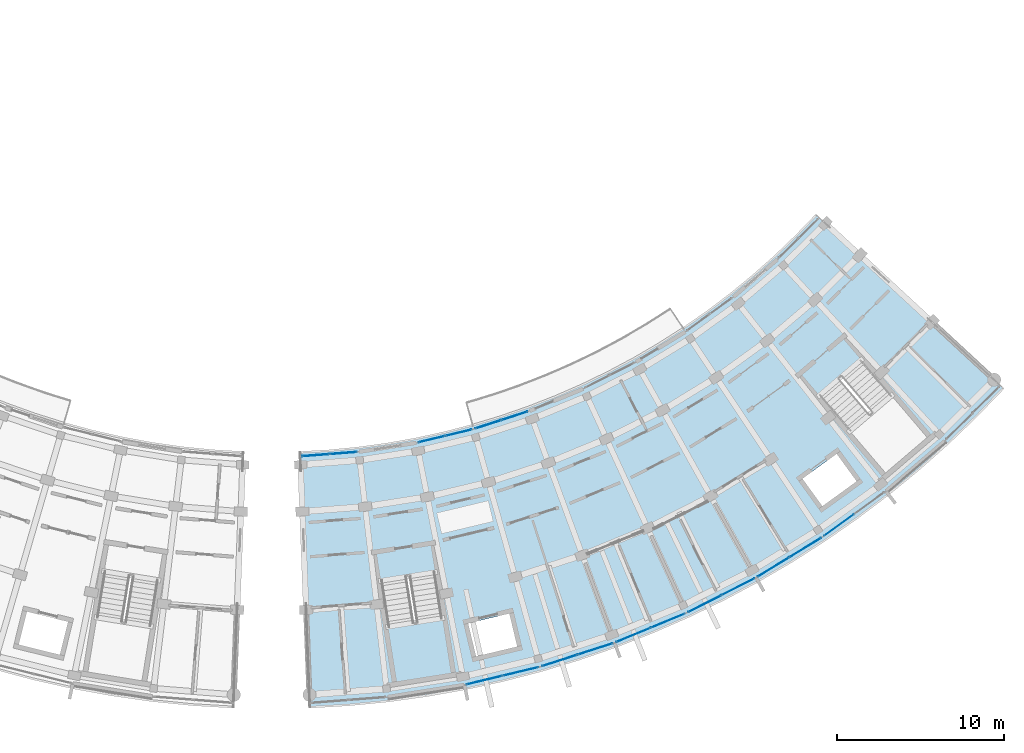
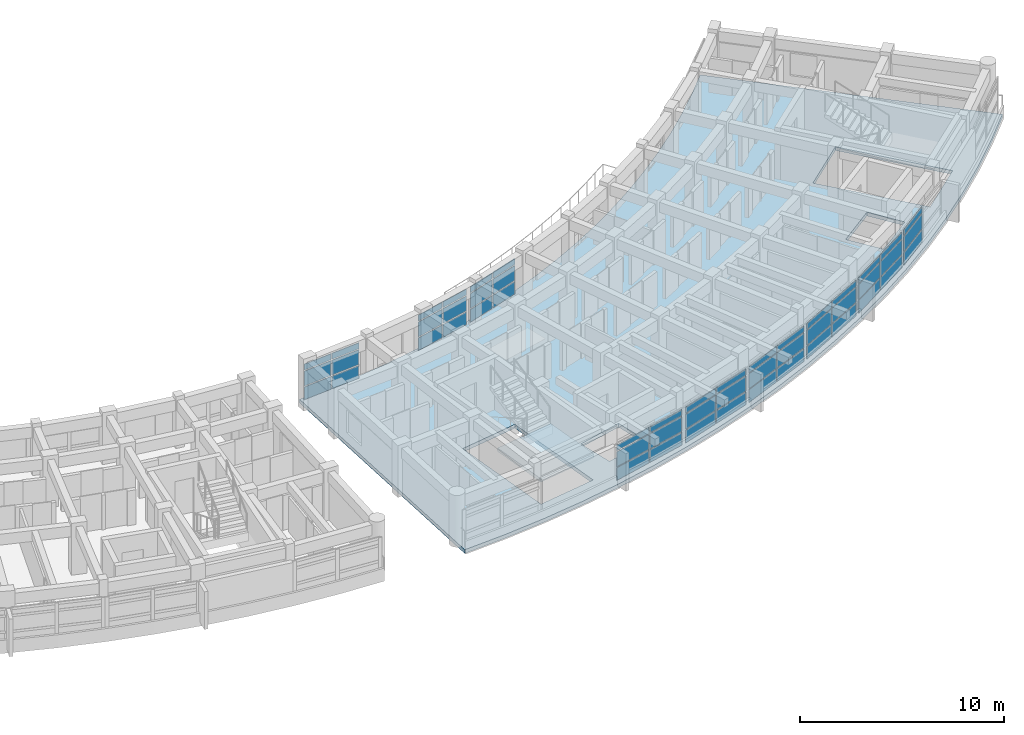
# One storey, part 25 of 56: 51 plates, 2 slabs, 10 elements without a shape of their own.
"""IFC4 building model written with IfcOpenShell, lengths in metres."""

from ifc_helpers import new_model, si_unit, direction, frame, origin, origin_2d, place, context, subcontext, project, spatial, polyline, rectangle, outline, extrude, material, layer, layer_set, type_object, element, aggregate, save


model = new_model("IFC4")

# Units and contexts
model_context = context("Model", 3, precision=1e-05, world=origin(), true_north=direction((0.0, 1.0)))
body_context = subcontext(model_context, "Body", "Model", "MODEL_VIEW")
ifc_project = project(units=[si_unit("LENGTHUNIT", "METRE"), si_unit("AREAUNIT", "SQUARE_METRE"), si_unit("VOLUMEUNIT", "CUBIC_METRE"), si_unit("PLANEANGLEUNIT", "RADIAN"), si_unit("MASSUNIT", "GRAM", prefix="KILO")], contexts=[model_context])

# Site, building, storey
site_placement = place(None, origin())
site = spatial("IfcSite", under=ifc_project, at=site_placement, CompositionType="ELEMENT")
building_placement = place(site_placement, origin())
building = spatial("IfcBuilding", under=site, at=building_placement, Name="Zimvara Arc Housing Community", CompositionType="ELEMENT")
storey_placement = place(building_placement, frame((0.0, 0.0, 17.39990234375)))
storey = spatial("IfcBuildingStorey", under=building, at=storey_placement, Name="L05", CompositionType="ELEMENT", Elevation=17.39990234375)

# Curtain wall, plates
ifc_material_1 = material(Name="Anodised Aluminium AW-6063", Category="aluminium")
curtain_wall_type_1 = type_object("IfcCurtainWallType", Name="CW-SYS-08", PredefinedType="USERDEFINED", material=ifc_material_1)
curtain_wall_1_placement = place(storey_placement, origin())
curtain_wall_1 = element("IfcCurtainWall", 1, at=curtain_wall_1_placement, inside=storey, type_object=curtain_wall_type_1, Name="cw:blkD:L05:in:b0", ObjectType="CURTAIN WALL", PredefinedType="USERDEFINED")
ifc_material_2 = material(Name="Pale-Gold Anodised Aluminium Spandrel Panel", Category="aluminium")
ifc_layer_1 = layer(ifc_material_2, 0.035888671875)
ifc_layer_set_1 = layer_set([ifc_layer_1], Name="Pale-Gold Anodised Aluminium Spandrel Panel")
plate_type_1 = type_object("IfcPlateType", Name="CWP-GLD-36", PredefinedType="CURTAIN_PANEL", material=ifc_layer_set_1)
plate_1_placement = place(storey_placement, frame((128.6123046875, 65.344482421875, 0.065185546875), z_axis=(0.0, 0.0, 1.0), x_axis=(0.996985344149, 0.077590099579, 0.0)))
plate_1 = element("IfcPlate", 2, at=plate_1_placement, type_object=plate_type_1, Name="CW08 panel 1.1", PredefinedType="CURTAIN_PANEL", context=body_context, shape_type="SweptSolid", body=[
    extrude(rectangle(XDim=1.59423828125, YDim=0.035888671875, at=origin_2d()), origin(), (0.0, 0.0, 1.0), 0.75244140625),
])
plate_2_placement = place(storey_placement, frame((128.6123046875, 65.344482421875, 0.8828125), z_axis=(0.0, 0.0, 1.0), x_axis=(0.996985344149, 0.077590099579, 0.0)))
plate_2 = element("IfcPlate", 3, at=plate_2_placement, type_object=plate_type_1, Name="CW08 panel 1.2", PredefinedType="CURTAIN_PANEL", context=body_context, shape_type="SweptSolid", body=[
    extrude(rectangle(XDim=1.59423828125, YDim=0.035888671875, at=origin_2d()), origin(), (0.0, 0.0, 1.0), 0.885009765625),
])
plate_3_placement = place(storey_placement, frame((128.6123046875, 65.344482421875, 1.83251953125), z_axis=(0.0, 0.0, 1.0), x_axis=(0.996985344149, 0.077590099579, 0.0)))
plate_3 = element("IfcPlate", 4, at=plate_3_placement, type_object=plate_type_1, Name="CW08 panel 1.3", PredefinedType="CURTAIN_PANEL", context=body_context, shape_type="SweptSolid", body=[
    extrude(rectangle(XDim=1.59423828125, YDim=0.035888671875, at=origin_2d()), origin(), (0.0, 0.0, 1.0), 0.3525390625),
])
plate_4_placement = place(storey_placement, frame((130.2666015625, 65.47314453125, 0.065185546875), z_axis=(0.0, 0.0, 1.0), x_axis=(0.996985344149, 0.077590099579, 0.0)))
plate_4 = element("IfcPlate", 5, at=plate_4_placement, type_object=plate_type_1, Name="CW08 panel 2.1", PredefinedType="CURTAIN_PANEL", context=body_context, shape_type="SweptSolid", body=[
    extrude(rectangle(XDim=1.59423828125, YDim=0.035888671875, at=origin_2d()), origin(), (0.0, 0.0, 1.0), 0.75244140625),
])
plate_5_placement = place(storey_placement, frame((130.2666015625, 65.47314453125, 0.8828125), z_axis=(0.0, 0.0, 1.0), x_axis=(0.996985344149, 0.077590099579, 0.0)))
plate_5 = element("IfcPlate", 6, at=plate_5_placement, type_object=plate_type_1, Name="CW08 panel 2.2", PredefinedType="CURTAIN_PANEL", context=body_context, shape_type="SweptSolid", body=[
    extrude(rectangle(XDim=1.59423828125, YDim=0.035888671875, at=origin_2d()), origin(), (0.0, 0.0, 1.0), 0.885009765625),
])
plate_6_placement = place(storey_placement, frame((130.2666015625, 65.47314453125, 1.83251953125), z_axis=(0.0, 0.0, 1.0), x_axis=(0.996985344149, 0.077590099579, 0.0)))
plate_6 = element("IfcPlate", 7, at=plate_6_placement, type_object=plate_type_1, Name="CW08 panel 2.3", PredefinedType="CURTAIN_PANEL", context=body_context, shape_type="SweptSolid", body=[
    extrude(rectangle(XDim=1.59423828125, YDim=0.035888671875, at=origin_2d()), origin(), (0.0, 0.0, 1.0), 0.3525390625),
])
aggregate(curtain_wall_1, [plate_1, plate_2, plate_3, plate_4, plate_5, plate_6])

ifc_material_3 = material(Name="Anodised Aluminium AW-6063", Category="aluminium")
curtain_wall_type_2 = type_object("IfcCurtainWallType", Name="CW-SYS-04", PredefinedType="USERDEFINED", material=ifc_material_3)
curtain_wall_2_placement = place(storey_placement, origin())
curtain_wall_2 = element("IfcCurtainWall", 8, at=curtain_wall_2_placement, inside=storey, type_object=curtain_wall_type_2, Name="cw:blkD:L05:in:b3", ObjectType="CURTAIN WALL", PredefinedType="USERDEFINED")
plate_7_placement = place(storey_placement, frame((138.931396484375, 67.18896484375, 0.065185546875), z_axis=(0.0, 0.0, 1.0), x_axis=(0.951326373008, 0.308185223559, 0.0)))
plate_7 = element("IfcPlate", 9, at=plate_7_placement, type_object=plate_type_1, Name="CW04 panel 1.1", PredefinedType="CURTAIN_PANEL", context=body_context, shape_type="SweptSolid", body=[
    extrude(rectangle(XDim=1.59423828125, YDim=0.035888671875, at=origin_2d()), origin(), (0.0, 0.0, 1.0), 0.75244140625),
])
plate_8_placement = place(storey_placement, frame((138.931396484375, 67.18896484375, 0.8828125), z_axis=(0.0, 0.0, 1.0), x_axis=(0.951326373008, 0.308185223559, 0.0)))
plate_8 = element("IfcPlate", 10, at=plate_8_placement, type_object=plate_type_1, Name="CW04 panel 1.2", PredefinedType="CURTAIN_PANEL", context=body_context, shape_type="SweptSolid", body=[
    extrude(rectangle(XDim=1.59423828125, YDim=0.035888671875, at=origin_2d()), origin(), (0.0, 0.0, 1.0), 0.885009765625),
])
plate_9_placement = place(storey_placement, frame((138.931396484375, 67.18896484375, 1.83251953125), z_axis=(0.0, 0.0, 1.0), x_axis=(0.951326373008, 0.308185223559, 0.0)))
plate_9 = element("IfcPlate", 11, at=plate_9_placement, type_object=plate_type_1, Name="CW04 panel 1.3", PredefinedType="CURTAIN_PANEL", context=body_context, shape_type="SweptSolid", body=[
    extrude(rectangle(XDim=1.59423828125, YDim=0.035888671875, at=origin_2d()), origin(), (0.0, 0.0, 1.0), 0.3525390625),
])
plate_10_placement = place(storey_placement, frame((140.510009765625, 67.7001953125, 0.065185546875), z_axis=(0.0, 0.0, 1.0), x_axis=(0.951326373008, 0.308185223559, 0.0)))
plate_10 = element("IfcPlate", 12, at=plate_10_placement, type_object=plate_type_1, Name="CW04 panel 2.1", PredefinedType="CURTAIN_PANEL", context=body_context, shape_type="SweptSolid", body=[
    extrude(rectangle(XDim=1.59423828125, YDim=0.035888671875, at=origin_2d()), origin(), (0.0, 0.0, 1.0), 0.75244140625),
])
plate_11_placement = place(storey_placement, frame((140.510009765625, 67.7001953125, 0.8828125), z_axis=(0.0, 0.0, 1.0), x_axis=(0.951326373008, 0.308185223559, 0.0)))
plate_11 = element("IfcPlate", 13, at=plate_11_placement, type_object=plate_type_1, Name="CW04 panel 2.2", PredefinedType="CURTAIN_PANEL", context=body_context, shape_type="SweptSolid", body=[
    extrude(rectangle(XDim=1.59423828125, YDim=0.035888671875, at=origin_2d()), origin(), (0.0, 0.0, 1.0), 0.885009765625),
])
plate_12_placement = place(storey_placement, frame((140.510009765625, 67.7001953125, 1.83251953125), z_axis=(0.0, 0.0, 1.0), x_axis=(0.951326373008, 0.308185223559, 0.0)))
plate_12 = element("IfcPlate", 14, at=plate_12_placement, type_object=plate_type_1, Name="CW04 panel 2.3", PredefinedType="CURTAIN_PANEL", context=body_context, shape_type="SweptSolid", body=[
    extrude(rectangle(XDim=1.59423828125, YDim=0.035888671875, at=origin_2d()), origin(), (0.0, 0.0, 1.0), 0.3525390625),
])
aggregate(curtain_wall_2, [plate_7, plate_8, plate_9, plate_10, plate_11, plate_12])

curtain_wall_3_placement = place(storey_placement, origin())
curtain_wall_3 = element("IfcCurtainWall", 15, at=curtain_wall_3_placement, inside=storey, type_object=curtain_wall_type_1, Name="cw:blkD:L05:out:b6", ObjectType="CURTAIN WALL", PredefinedType="USERDEFINED")
plate_13_placement = place(storey_placement, frame((155.98291015625, 58.658203125, 0.065185546875), z_axis=(0.0, 0.0, 1.0), x_axis=(0.853095835272, 0.521754248513, 0.0)))
plate_13 = element("IfcPlate", 16, at=plate_13_placement, type_object=plate_type_1, Name="CW08 panel 1.1", PredefinedType="CURTAIN_PANEL", context=body_context, shape_type="SweptSolid", body=[
    extrude(rectangle(XDim=2.173828125, YDim=0.035888671875, at=origin_2d()), origin(), (0.0, 0.0, 1.0), 0.75244140625),
])
plate_14_placement = place(storey_placement, frame((155.98291015625, 58.658203125, 0.8828125), z_axis=(0.0, 0.0, 1.0), x_axis=(0.853095835272, 0.521754248513, 0.0)))
plate_14 = element("IfcPlate", 17, at=plate_14_placement, type_object=plate_type_1, Name="CW08 panel 1.2", PredefinedType="CURTAIN_PANEL", context=body_context, shape_type="SweptSolid", body=[
    extrude(rectangle(XDim=2.173828125, YDim=0.035888671875, at=origin_2d()), origin(), (0.0, 0.0, 1.0), 0.885009765625),
])
plate_15_placement = place(storey_placement, frame((155.98291015625, 58.658203125, 1.83251953125), z_axis=(0.0, 0.0, 1.0), x_axis=(0.853095835272, 0.521754248513, 0.0)))
plate_15 = element("IfcPlate", 18, at=plate_15_placement, type_object=plate_type_1, Name="CW08 panel 1.3", PredefinedType="CURTAIN_PANEL", context=body_context, shape_type="SweptSolid", body=[
    extrude(rectangle(XDim=2.173828125, YDim=0.035888671875, at=origin_2d()), origin(), (0.0, 0.0, 1.0), 0.3525390625),
])
plate_16_placement = place(storey_placement, frame((157.892822265625, 59.826171875, 0.065185546875), z_axis=(0.0, 0.0, 1.0), x_axis=(0.853095835272, 0.521754248513, 0.0)))
plate_16 = element("IfcPlate", 19, at=plate_16_placement, type_object=plate_type_1, Name="CW08 panel 2.1", PredefinedType="CURTAIN_PANEL", context=body_context, shape_type="SweptSolid", body=[
    extrude(rectangle(XDim=2.173828125, YDim=0.035888671875, at=origin_2d()), origin(), (0.0, 0.0, 1.0), 0.75244140625),
])
plate_17_placement = place(storey_placement, frame((157.892822265625, 59.826171875, 0.8828125), z_axis=(0.0, 0.0, 1.0), x_axis=(0.853095835272, 0.521754248513, 0.0)))
plate_17 = element("IfcPlate", 20, at=plate_17_placement, type_object=plate_type_1, Name="CW08 panel 2.2", PredefinedType="CURTAIN_PANEL", context=body_context, shape_type="SweptSolid", body=[
    extrude(rectangle(XDim=2.173828125, YDim=0.035888671875, at=origin_2d()), origin(), (0.0, 0.0, 1.0), 0.885009765625),
])
plate_18_placement = place(storey_placement, frame((157.892822265625, 59.826171875, 1.83251953125), z_axis=(0.0, 0.0, 1.0), x_axis=(0.853095835272, 0.521754248513, 0.0)))
plate_18 = element("IfcPlate", 21, at=plate_18_placement, type_object=plate_type_1, Name="CW08 panel 2.3", PredefinedType="CURTAIN_PANEL", context=body_context, shape_type="SweptSolid", body=[
    extrude(rectangle(XDim=2.173828125, YDim=0.035888671875, at=origin_2d()), origin(), (0.0, 0.0, 1.0), 0.3525390625),
])
aggregate(curtain_wall_3, [plate_13, plate_14, plate_15, plate_16, plate_17, plate_18])

ifc_material_4 = material(Name="Anodised Aluminium AW-6063", Category="aluminium")
curtain_wall_type_3 = type_object("IfcCurtainWallType", Name="CW-SYS-01", PredefinedType="USERDEFINED", material=ifc_material_4)
curtain_wall_4_placement = place(storey_placement, origin())
curtain_wall_4 = element("IfcCurtainWall", 22, at=curtain_wall_4_placement, inside=storey, type_object=curtain_wall_type_3, Name="cw:blkD:L05:out:b2", ObjectType="CURTAIN WALL", PredefinedType="USERDEFINED")
ifc_material_5 = material(Name="Solar Control Low-E Double Glazing", Category="glass")
ifc_layer_2 = layer(ifc_material_5, 0.02392578125)
ifc_layer_set_2 = layer_set([ifc_layer_2], Name="Solar Control Low-E Double Glazing")
plate_type_2 = type_object("IfcPlateType", Name="CWP-GLZ-24", PredefinedType="CURTAIN_PANEL", material=ifc_layer_set_2)
plate_19_placement = place(storey_placement, frame((138.6923828125, 51.892822265625, 0.065185546875), z_axis=(0.0, 0.0, 1.0), x_axis=(0.97257325149, 0.232596798101, 0.0)))
plate_19 = element("IfcPlate", 23, at=plate_19_placement, type_object=plate_type_2, Name="CW01 panel 1.1", PredefinedType="CURTAIN_PANEL", context=body_context, shape_type="SweptSolid", body=[
    extrude(rectangle(XDim=2.173828125, YDim=0.02392578125, at=origin_2d()), origin(), (0.0, 0.0, 1.0), 0.75244140625),
])
plate_20_placement = place(storey_placement, frame((138.6923828125, 51.892822265625, 0.8828125), z_axis=(0.0, 0.0, 1.0), x_axis=(0.97257325149, 0.232596798101, 0.0)))
plate_20 = element("IfcPlate", 24, at=plate_20_placement, type_object=plate_type_2, Name="CW01 panel 1.2", PredefinedType="CURTAIN_PANEL", context=body_context, shape_type="SweptSolid", body=[
    extrude(rectangle(XDim=2.173828125, YDim=0.02392578125, at=origin_2d()), origin(), (0.0, 0.0, 1.0), 0.885009765625),
])
plate_21_placement = place(storey_placement, frame((138.6923828125, 51.892822265625, 1.83251953125), z_axis=(0.0, 0.0, 1.0), x_axis=(0.97257325149, 0.232596798101, 0.0)))
plate_21 = element("IfcPlate", 25, at=plate_21_placement, type_object=plate_type_2, Name="CW01 panel 1.3", PredefinedType="CURTAIN_PANEL", context=body_context, shape_type="SweptSolid", body=[
    extrude(rectangle(XDim=2.173828125, YDim=0.02392578125, at=origin_2d()), origin(), (0.0, 0.0, 1.0), 0.3525390625),
])
plate_22_placement = place(storey_placement, frame((140.86962890625, 52.41357421875, 0.065185546875), z_axis=(0.0, 0.0, 1.0), x_axis=(0.97257325149, 0.232596798101, 0.0)))
plate_22 = element("IfcPlate", 26, at=plate_22_placement, type_object=plate_type_2, Name="CW01 panel 2.1", PredefinedType="CURTAIN_PANEL", context=body_context, shape_type="SweptSolid", body=[
    extrude(rectangle(XDim=2.173828125, YDim=0.02392578125, at=origin_2d()), origin(), (0.0, 0.0, 1.0), 0.75244140625),
])
plate_23_placement = place(storey_placement, frame((140.86962890625, 52.41357421875, 0.8828125), z_axis=(0.0, 0.0, 1.0), x_axis=(0.97257325149, 0.232596798101, 0.0)))
plate_23 = element("IfcPlate", 27, at=plate_23_placement, type_object=plate_type_2, Name="CW01 panel 2.2", PredefinedType="CURTAIN_PANEL", context=body_context, shape_type="SweptSolid", body=[
    extrude(rectangle(XDim=2.173828125, YDim=0.02392578125, at=origin_2d()), origin(), (0.0, 0.0, 1.0), 0.885009765625),
])
plate_24_placement = place(storey_placement, frame((140.86962890625, 52.41357421875, 1.83251953125), z_axis=(0.0, 0.0, 1.0), x_axis=(0.97257325149, 0.232596798101, 0.0)))
plate_24 = element("IfcPlate", 28, at=plate_24_placement, type_object=plate_type_2, Name="CW01 panel 2.3", PredefinedType="CURTAIN_PANEL", context=body_context, shape_type="SweptSolid", body=[
    extrude(rectangle(XDim=2.173828125, YDim=0.02392578125, at=origin_2d()), origin(), (0.0, 0.0, 1.0), 0.3525390625),
])
aggregate(curtain_wall_4, [plate_19, plate_20, plate_21, plate_22, plate_23, plate_24])

ifc_material_6 = material(Name="Anodised Aluminium AW-6063", Category="aluminium")
curtain_wall_type_4 = type_object("IfcCurtainWallType", Name="CW-SYS-05", PredefinedType="USERDEFINED", material=ifc_material_6)
curtain_wall_5_placement = place(storey_placement, origin())
curtain_wall_5 = element("IfcCurtainWall", 29, at=curtain_wall_5_placement, inside=storey, type_object=curtain_wall_type_4, Name="cw:blkD:L05:out:b4", ObjectType="CURTAIN WALL", PredefinedType="USERDEFINED")
plate_25_placement = place(storey_placement, frame((147.603759765625, 54.594970703125, 0.065185546875), z_axis=(0.0, 0.0, 1.0), x_axis=(0.924213377749, 0.38187646221, 0.0)))
plate_25 = element("IfcPlate", 30, at=plate_25_placement, type_object=plate_type_2, Name="CW05 panel 1.1", PredefinedType="CURTAIN_PANEL", context=body_context, shape_type="SweptSolid", body=[
    extrude(rectangle(XDim=2.173828125, YDim=0.02392578125, at=origin_2d()), origin(), (0.0, 0.0, 1.0), 0.75244140625),
])
plate_26_placement = place(storey_placement, frame((147.603759765625, 54.594970703125, 0.8828125), z_axis=(0.0, 0.0, 1.0), x_axis=(0.924213377749, 0.38187646221, 0.0)))
plate_26 = element("IfcPlate", 31, at=plate_26_placement, type_object=plate_type_2, Name="CW05 panel 1.2", PredefinedType="CURTAIN_PANEL", context=body_context, shape_type="SweptSolid", body=[
    extrude(rectangle(XDim=2.173828125, YDim=0.02392578125, at=origin_2d()), origin(), (0.0, 0.0, 1.0), 0.885009765625),
])
plate_27_placement = place(storey_placement, frame((147.603759765625, 54.594970703125, 1.83251953125), z_axis=(0.0, 0.0, 1.0), x_axis=(0.924213377749, 0.38187646221, 0.0)))
plate_27 = element("IfcPlate", 32, at=plate_27_placement, type_object=plate_type_2, Name="CW05 panel 1.3", PredefinedType="CURTAIN_PANEL", context=body_context, shape_type="SweptSolid", body=[
    extrude(rectangle(XDim=2.173828125, YDim=0.02392578125, at=origin_2d()), origin(), (0.0, 0.0, 1.0), 0.3525390625),
])
plate_28_placement = place(storey_placement, frame((149.6728515625, 55.449951171875, 0.065185546875), z_axis=(0.0, 0.0, 1.0), x_axis=(0.924213377749, 0.38187646221, 0.0)))
plate_28 = element("IfcPlate", 33, at=plate_28_placement, type_object=plate_type_2, Name="CW05 panel 2.1", PredefinedType="CURTAIN_PANEL", context=body_context, shape_type="SweptSolid", body=[
    extrude(rectangle(XDim=2.173828125, YDim=0.02392578125, at=origin_2d()), origin(), (0.0, 0.0, 1.0), 0.75244140625),
])
plate_29_placement = place(storey_placement, frame((149.6728515625, 55.449951171875, 0.8828125), z_axis=(0.0, 0.0, 1.0), x_axis=(0.924213377749, 0.38187646221, 0.0)))
plate_29 = element("IfcPlate", 34, at=plate_29_placement, type_object=plate_type_2, Name="CW05 panel 2.2", PredefinedType="CURTAIN_PANEL", context=body_context, shape_type="SweptSolid", body=[
    extrude(rectangle(XDim=2.173828125, YDim=0.02392578125, at=origin_2d()), origin(), (0.0, 0.0, 1.0), 0.885009765625),
])
plate_30_placement = place(storey_placement, frame((149.6728515625, 55.449951171875, 1.83251953125), z_axis=(0.0, 0.0, 1.0), x_axis=(0.924213377749, 0.38187646221, 0.0)))
plate_30 = element("IfcPlate", 35, at=plate_30_placement, type_object=plate_type_2, Name="CW05 panel 2.3", PredefinedType="CURTAIN_PANEL", context=body_context, shape_type="SweptSolid", body=[
    extrude(rectangle(XDim=2.173828125, YDim=0.02392578125, at=origin_2d()), origin(), (0.0, 0.0, 1.0), 0.3525390625),
])
aggregate(curtain_wall_5, [plate_25, plate_26, plate_27, plate_28, plate_29, plate_30])

curtain_wall_6_placement = place(storey_placement, origin())
curtain_wall_6 = element("IfcCurtainWall", 36, at=curtain_wall_6_placement, inside=storey, type_object=curtain_wall_type_3, Name="cw:blkD:L05:out:b7", ObjectType="CURTAIN WALL", PredefinedType="USERDEFINED")
plate_31_placement = place(storey_placement, frame((159.90771484375, 61.169921875, 0.065185546875), z_axis=(0.0, 0.0, 1.0), x_axis=(0.809530431263, 0.587077917196, 0.0)))
plate_31 = element("IfcPlate", 37, at=plate_31_placement, type_object=plate_type_2, Name="CW01 panel 1.1", PredefinedType="CURTAIN_PANEL", context=body_context, shape_type="SweptSolid", body=[
    extrude(rectangle(XDim=2.173828125, YDim=0.02392578125, at=origin_2d()), origin(), (0.0, 0.0, 1.0), 0.75244140625),
])
plate_32_placement = place(storey_placement, frame((159.90771484375, 61.169921875, 0.8828125), z_axis=(0.0, 0.0, 1.0), x_axis=(0.809530431263, 0.587077917196, 0.0)))
plate_32 = element("IfcPlate", 38, at=plate_32_placement, type_object=plate_type_2, Name="CW01 panel 1.2", PredefinedType="CURTAIN_PANEL", context=body_context, shape_type="SweptSolid", body=[
    extrude(rectangle(XDim=2.173828125, YDim=0.02392578125, at=origin_2d()), origin(), (0.0, 0.0, 1.0), 0.885009765625),
])
plate_33_placement = place(storey_placement, frame((159.90771484375, 61.169921875, 1.83251953125), z_axis=(0.0, 0.0, 1.0), x_axis=(0.809530431263, 0.587077917196, 0.0)))
plate_33 = element("IfcPlate", 39, at=plate_33_placement, type_object=plate_type_2, Name="CW01 panel 1.3", PredefinedType="CURTAIN_PANEL", context=body_context, shape_type="SweptSolid", body=[
    extrude(rectangle(XDim=2.173828125, YDim=0.02392578125, at=origin_2d()), origin(), (0.0, 0.0, 1.0), 0.3525390625),
])
aggregate(curtain_wall_6, [plate_31, plate_32, plate_33])

ifc_material_7 = material(Name="Anodised Aluminium AW-6063", Category="aluminium")
curtain_wall_type_5 = type_object("IfcCurtainWallType", Name="CW-SYS-02", PredefinedType="USERDEFINED", material=ifc_material_7)
curtain_wall_7_placement = place(storey_placement, origin())
curtain_wall_7 = element("IfcCurtainWall", 40, at=curtain_wall_7_placement, inside=storey, type_object=curtain_wall_type_5, Name="cw:blkD:L05:in:b2", ObjectType="CURTAIN WALL", PredefinedType="USERDEFINED")
ifc_material_8 = material(Name="Solar Control Low-E Double Glazing", Category="glass")
ifc_layer_3 = layer(ifc_material_8, 0.028076171875)
ifc_layer_set_3 = layer_set([ifc_layer_3], Name="Solar Control Low-E Double Glazing")
plate_type_3 = type_object("IfcPlateType", Name="CWP-GLZ-28", PredefinedType="CURTAIN_PANEL", material=ifc_layer_set_3)
plate_34_placement = place(storey_placement, frame((135.543701171875, 66.30419921875, 0.065185546875), z_axis=(0.0, 0.0, 1.0), x_axis=(0.972573441526, 0.232596003485, 0.0)))
plate_34 = element("IfcPlate", 41, at=plate_34_placement, type_object=plate_type_3, Name="CW02 panel 1.1", PredefinedType="CURTAIN_PANEL", context=body_context, shape_type="SweptSolid", body=[
    extrude(rectangle(XDim=1.59423828125, YDim=0.028076171875, at=origin_2d()), origin(), (0.0, 0.0, 1.0), 0.75244140625),
])
plate_35_placement = place(storey_placement, frame((135.543701171875, 66.30419921875, 0.8828125), z_axis=(0.0, 0.0, 1.0), x_axis=(0.972573441526, 0.232596003485, 0.0)))
plate_35 = element("IfcPlate", 42, at=plate_35_placement, type_object=plate_type_3, Name="CW02 panel 1.2", PredefinedType="CURTAIN_PANEL", context=body_context, shape_type="SweptSolid", body=[
    extrude(rectangle(XDim=1.59423828125, YDim=0.028076171875, at=origin_2d()), origin(), (0.0, 0.0, 1.0), 0.885009765625),
])
plate_36_placement = place(storey_placement, frame((135.543701171875, 66.30419921875, 1.83251953125), z_axis=(0.0, 0.0, 1.0), x_axis=(0.972573441526, 0.232596003485, 0.0)))
plate_36 = element("IfcPlate", 43, at=plate_36_placement, type_object=plate_type_3, Name="CW02 panel 1.3", PredefinedType="CURTAIN_PANEL", context=body_context, shape_type="SweptSolid", body=[
    extrude(rectangle(XDim=1.59423828125, YDim=0.028076171875, at=origin_2d()), origin(), (0.0, 0.0, 1.0), 0.3525390625),
])
plate_37_placement = place(storey_placement, frame((137.1572265625, 66.690185546875, 0.065185546875), z_axis=(0.0, 0.0, 1.0), x_axis=(0.972573441526, 0.232596003485, 0.0)))
plate_37 = element("IfcPlate", 44, at=plate_37_placement, type_object=plate_type_3, Name="CW02 panel 2.1", PredefinedType="CURTAIN_PANEL", context=body_context, shape_type="SweptSolid", body=[
    extrude(rectangle(XDim=1.59423828125, YDim=0.028076171875, at=origin_2d()), origin(), (0.0, 0.0, 1.0), 0.75244140625),
])
plate_38_placement = place(storey_placement, frame((137.1572265625, 66.690185546875, 0.8828125), z_axis=(0.0, 0.0, 1.0), x_axis=(0.972573441526, 0.232596003485, 0.0)))
plate_38 = element("IfcPlate", 45, at=plate_38_placement, type_object=plate_type_3, Name="CW02 panel 2.2", PredefinedType="CURTAIN_PANEL", context=body_context, shape_type="SweptSolid", body=[
    extrude(rectangle(XDim=1.59423828125, YDim=0.028076171875, at=origin_2d()), origin(), (0.0, 0.0, 1.0), 0.885009765625),
])
plate_39_placement = place(storey_placement, frame((137.1572265625, 66.690185546875, 1.83251953125), z_axis=(0.0, 0.0, 1.0), x_axis=(0.972573441526, 0.232596003485, 0.0)))
plate_39 = element("IfcPlate", 46, at=plate_39_placement, type_object=plate_type_3, Name="CW02 panel 2.3", PredefinedType="CURTAIN_PANEL", context=body_context, shape_type="SweptSolid", body=[
    extrude(rectangle(XDim=1.59423828125, YDim=0.028076171875, at=origin_2d()), origin(), (0.0, 0.0, 1.0), 0.3525390625),
])
aggregate(curtain_wall_7, [plate_34, plate_35, plate_36, plate_37, plate_38, plate_39])

ifc_material_9 = material(Name="Anodised Aluminium AW-6063", Category="aluminium")
curtain_wall_type_6 = type_object("IfcCurtainWallType", Name="CW-SYS-06", PredefinedType="USERDEFINED", material=ifc_material_9)
curtain_wall_8_placement = place(storey_placement, origin())
curtain_wall_8 = element("IfcCurtainWall", 47, at=curtain_wall_8_placement, inside=storey, type_object=curtain_wall_type_6, Name="cw:blkD:L05:out:b5", ObjectType="CURTAIN WALL", PredefinedType="USERDEFINED")
plate_40_placement = place(storey_placement, frame((151.873291015625, 56.4619140625, 0.065185546875), z_axis=(0.0, 0.0, 1.0), x_axis=(0.891402932954, 0.453211662605, 0.0)))
plate_40 = element("IfcPlate", 48, at=plate_40_placement, type_object=plate_type_3, Name="CW06 panel 1.1", PredefinedType="CURTAIN_PANEL", context=body_context, shape_type="SweptSolid", body=[
    extrude(rectangle(XDim=2.173828125, YDim=0.028076171875, at=origin_2d()), origin(), (0.0, 0.0, 1.0), 0.75244140625),
])
plate_41_placement = place(storey_placement, frame((151.873291015625, 56.4619140625, 0.8828125), z_axis=(0.0, 0.0, 1.0), x_axis=(0.891402932954, 0.453211662605, 0.0)))
plate_41 = element("IfcPlate", 49, at=plate_41_placement, type_object=plate_type_3, Name="CW06 panel 1.2", PredefinedType="CURTAIN_PANEL", context=body_context, shape_type="SweptSolid", body=[
    extrude(rectangle(XDim=2.173828125, YDim=0.028076171875, at=origin_2d()), origin(), (0.0, 0.0, 1.0), 0.885009765625),
])
plate_42_placement = place(storey_placement, frame((151.873291015625, 56.4619140625, 1.83251953125), z_axis=(0.0, 0.0, 1.0), x_axis=(0.891402932954, 0.453211662605, 0.0)))
plate_42 = element("IfcPlate", 50, at=plate_42_placement, type_object=plate_type_3, Name="CW06 panel 1.3", PredefinedType="CURTAIN_PANEL", context=body_context, shape_type="SweptSolid", body=[
    extrude(rectangle(XDim=2.173828125, YDim=0.028076171875, at=origin_2d()), origin(), (0.0, 0.0, 1.0), 0.3525390625),
])
plate_43_placement = place(storey_placement, frame((153.868896484375, 57.4765625, 0.065185546875), z_axis=(0.0, 0.0, 1.0), x_axis=(0.891402932954, 0.453211662605, 0.0)))
plate_43 = element("IfcPlate", 51, at=plate_43_placement, type_object=plate_type_3, Name="CW06 panel 2.1", PredefinedType="CURTAIN_PANEL", context=body_context, shape_type="SweptSolid", body=[
    extrude(rectangle(XDim=2.173828125, YDim=0.028076171875, at=origin_2d()), origin(), (0.0, 0.0, 1.0), 0.75244140625),
])
plate_44_placement = place(storey_placement, frame((153.868896484375, 57.4765625, 0.8828125), z_axis=(0.0, 0.0, 1.0), x_axis=(0.891402932954, 0.453211662605, 0.0)))
plate_44 = element("IfcPlate", 52, at=plate_44_placement, type_object=plate_type_3, Name="CW06 panel 2.2", PredefinedType="CURTAIN_PANEL", context=body_context, shape_type="SweptSolid", body=[
    extrude(rectangle(XDim=2.173828125, YDim=0.028076171875, at=origin_2d()), origin(), (0.0, 0.0, 1.0), 0.885009765625),
])
plate_45_placement = place(storey_placement, frame((153.868896484375, 57.4765625, 1.83251953125), z_axis=(0.0, 0.0, 1.0), x_axis=(0.891402932954, 0.453211662605, 0.0)))
plate_45 = element("IfcPlate", 53, at=plate_45_placement, type_object=plate_type_3, Name="CW06 panel 2.3", PredefinedType="CURTAIN_PANEL", context=body_context, shape_type="SweptSolid", body=[
    extrude(rectangle(XDim=2.173828125, YDim=0.028076171875, at=origin_2d()), origin(), (0.0, 0.0, 1.0), 0.3525390625),
])
aggregate(curtain_wall_8, [plate_40, plate_41, plate_42, plate_43, plate_44, plate_45])

ifc_material_10 = material(Name="Anodised Aluminium AW-6063", Category="aluminium")
curtain_wall_type_7 = type_object("IfcCurtainWallType", Name="CW-SYS-03", PredefinedType="USERDEFINED", material=ifc_material_10)
curtain_wall_9_placement = place(storey_placement, origin())
curtain_wall_9 = element("IfcCurtainWall", 54, at=curtain_wall_9_placement, inside=storey, type_object=curtain_wall_type_7, Name="cw:blkD:L05:out:b3", ObjectType="CURTAIN WALL", PredefinedType="USERDEFINED")
ifc_material_11 = material(Name="Acoustic Laminated Solar Glazing", Category="glass")
ifc_layer_4 = layer(ifc_material_11, 0.031982421875)
ifc_layer_set_4 = layer_set([ifc_layer_4], Name="Acoustic Laminated Solar Glazing")
plate_type_4 = type_object("IfcPlateType", Name="CWP-GLZ-32", PredefinedType="CURTAIN_PANEL", material=ifc_layer_set_4)
plate_46_placement = place(storey_placement, frame((143.201171875, 53.06884765625, 0.065185546875), z_axis=(0.0, 0.0, 1.0), x_axis=(0.951326460914, 0.308184952203, 0.0)))
plate_46 = element("IfcPlate", 55, at=plate_46_placement, type_object=plate_type_4, Name="CW03 panel 1.1", PredefinedType="CURTAIN_PANEL", context=body_context, shape_type="SweptSolid", body=[
    extrude(rectangle(XDim=2.173828125, YDim=0.031982421875, at=origin_2d()), origin(), (0.0, 0.0, 1.0), 0.75244140625),
])
plate_47_placement = place(storey_placement, frame((143.201171875, 53.06884765625, 0.8828125), z_axis=(0.0, 0.0, 1.0), x_axis=(0.951326460914, 0.308184952203, 0.0)))
plate_47 = element("IfcPlate", 56, at=plate_47_placement, type_object=plate_type_4, Name="CW03 panel 1.2", PredefinedType="CURTAIN_PANEL", context=body_context, shape_type="SweptSolid", body=[
    extrude(rectangle(XDim=2.173828125, YDim=0.031982421875, at=origin_2d()), origin(), (0.0, 0.0, 1.0), 0.885009765625),
])
plate_48_placement = place(storey_placement, frame((143.201171875, 53.06884765625, 1.83251953125), z_axis=(0.0, 0.0, 1.0), x_axis=(0.951326460914, 0.308184952203, 0.0)))
plate_48 = element("IfcPlate", 57, at=plate_48_placement, type_object=plate_type_4, Name="CW03 panel 1.3", PredefinedType="CURTAIN_PANEL", context=body_context, shape_type="SweptSolid", body=[
    extrude(rectangle(XDim=2.173828125, YDim=0.031982421875, at=origin_2d()), origin(), (0.0, 0.0, 1.0), 0.3525390625),
])
plate_49_placement = place(storey_placement, frame((145.330810546875, 53.7587890625, 0.065185546875), z_axis=(0.0, 0.0, 1.0), x_axis=(0.951326460914, 0.308184952203, 0.0)))
plate_49 = element("IfcPlate", 58, at=plate_49_placement, type_object=plate_type_4, Name="CW03 panel 2.1", PredefinedType="CURTAIN_PANEL", context=body_context, shape_type="SweptSolid", body=[
    extrude(rectangle(XDim=2.173828125, YDim=0.031982421875, at=origin_2d()), origin(), (0.0, 0.0, 1.0), 0.75244140625),
])
plate_50_placement = place(storey_placement, frame((145.330810546875, 53.7587890625, 0.8828125), z_axis=(0.0, 0.0, 1.0), x_axis=(0.951326460914, 0.308184952203, 0.0)))
plate_50 = element("IfcPlate", 59, at=plate_50_placement, type_object=plate_type_4, Name="CW03 panel 2.2", PredefinedType="CURTAIN_PANEL", context=body_context, shape_type="SweptSolid", body=[
    extrude(rectangle(XDim=2.173828125, YDim=0.031982421875, at=origin_2d()), origin(), (0.0, 0.0, 1.0), 0.885009765625),
])
plate_51_placement = place(storey_placement, frame((145.330810546875, 53.7587890625, 1.83251953125), z_axis=(0.0, 0.0, 1.0), x_axis=(0.951326460914, 0.308184952203, 0.0)))
plate_51 = element("IfcPlate", 60, at=plate_51_placement, type_object=plate_type_4, Name="CW03 panel 2.3", PredefinedType="CURTAIN_PANEL", context=body_context, shape_type="SweptSolid", body=[
    extrude(rectangle(XDim=2.173828125, YDim=0.031982421875, at=origin_2d()), origin(), (0.0, 0.0, 1.0), 0.3525390625),
])
aggregate(curtain_wall_9, [plate_46, plate_47, plate_48, plate_49, plate_50, plate_51])

# Stair, slab
ifc_material_12 = material(Name="Concrete C35/45", Category="concrete")
stair_type = type_object("IfcStairType", Name="STR-DL-310-310", PredefinedType="HALF_TURN_STAIR", material=ifc_material_12)
stair_placement = place(storey_placement, origin())
stair = element("IfcStair", 61, at=stair_placement, inside=storey, type_object=stair_type, Name="L05 Block D Exit Stair 1", PredefinedType="HALF_TURN_STAIR")
ifc_material_13 = material(Name="Concrete C35/45", Category="concrete")
ifc_layer_5 = layer(ifc_material_13, 0.199951171875)
ifc_layer_set_5 = layer_set([ifc_layer_5], Name="Concrete C35/45")
slab_type_1 = type_object("IfcSlabType", Name="SLB-STAIR-LND-200", PredefinedType="LANDING", material=ifc_layer_set_5)
slab_1_placement = place(storey_placement, frame((0.0, 0.0, 1.35009765625)))
slab_1 = element("IfcSlab", 62, at=slab_1_placement, type_object=slab_type_1, Name="ST-D1 landing 1", PredefinedType="LANDING", context=body_context, shape_type="SweptSolid", body=[
    extrude(outline(polyline([(132.900390625, 55.1201171875), (133.427734375, 51.771484375), (136.746826171875, 52.294189453125), (136.219482421875, 55.642822265625), (132.900390625, 55.1201171875)])), origin(), (0.0, 0.0, 1.0), 0.199951171875),
])
aggregate(stair, [slab_1])

# Slab
ifc_material_14 = material(Name="Concrete C35/45", Category="concrete")
ifc_layer_6 = layer(ifc_material_14, 0.219970703125)
ifc_layer_set_6 = layer_set([ifc_layer_6], Name="Concrete C35/45")
slab_type_2 = type_object("IfcSlabType", Name="SLB-TYP-220", PredefinedType="FLOOR", material=ifc_layer_set_6)
slab_2_placement = place(storey_placement, frame((0.0, 0.0, -0.219970703125)))
element("IfcSlab", 63, at=slab_2_placement, inside=storey, type_object=slab_type_2, Name="slab:blkD:L05:main", PredefinedType="FLOOR", context=body_context, shape_type="SweptSolid", body=[
    extrude(outline(polyline([(128.267822265625, 50.303955078125), (130.604248046875, 50.439697265625), (132.93359375, 50.6669921875), (135.252197265625, 50.985595703125), (137.556396484375, 51.39501953125), (139.8427734375, 51.89453125), (142.10791015625, 52.483642578125), (144.347900390625, 53.160888671875), (146.559814453125, 53.92578125), (148.739990234375, 54.77685546875), (150.884765625, 55.712890625), (152.991455078125, 56.732421875), (155.056396484375, 57.833740234375), (157.07666015625, 59.015380859375), (159.048828125, 60.275634765625), (160.969970703125, 61.612060546875), (162.837158203125, 63.02294921875), (164.6474609375, 64.506103515625), (166.3984375, 66.05908203125), (168.086669921875, 67.6796875), (169.710205078125, 69.365234375), (158.5576171875, 79.69287109375), (157.34814453125, 78.43701171875), (156.09033203125, 77.229736328125), (154.7861328125, 76.07275390625), (153.437255859375, 74.968017578125), (152.04638671875, 73.9169921875), (150.614990234375, 72.921142578125), (149.14599609375, 71.982666015625), (147.640869140625, 71.102294921875), (146.1025390625, 70.28173828125), (144.533203125, 69.522216796875), (142.935302734375, 68.824951171875), (141.311279296875, 68.19091796875), (139.66357421875, 67.62109375), (137.99462890625, 67.116455078125), (136.307373046875, 66.677734375), (134.60400390625, 66.3056640625), (132.887451171875, 66.00048828125), (131.16015625, 65.76318359375), (129.425048828125, 65.59375), (127.684326171875, 65.49267578125), (128.267822265625, 50.303955078125)]), holes=[polyline([(135.751953125, 58.35302734375), (136.700927734375, 52.327392578125), (133.4609375, 51.817138671875), (132.511962890625, 57.8427734375), (135.751953125, 58.35302734375)]), polyline([(161.224365234375, 71.049072265625), (165.181884765625, 66.4072265625), (162.685791015625, 64.279052734375), (158.728271484375, 68.921142578125), (161.224365234375, 71.049072265625)]), polyline([(140.194091796875, 55.8857421875), (140.66845703125, 53.90185546875), (138.1982421875, 53.31103515625), (137.7236328125, 55.294921875), (140.194091796875, 55.8857421875)]), polyline([(159.76708984375, 65.433837890625), (160.96484375, 63.782470703125), (158.908447265625, 62.291259765625), (157.7109375, 63.942626953125), (159.76708984375, 65.433837890625)])]), origin(), (0.0, 0.0, 1.0), 0.219970703125),
])

save(model, "model.ifc")
